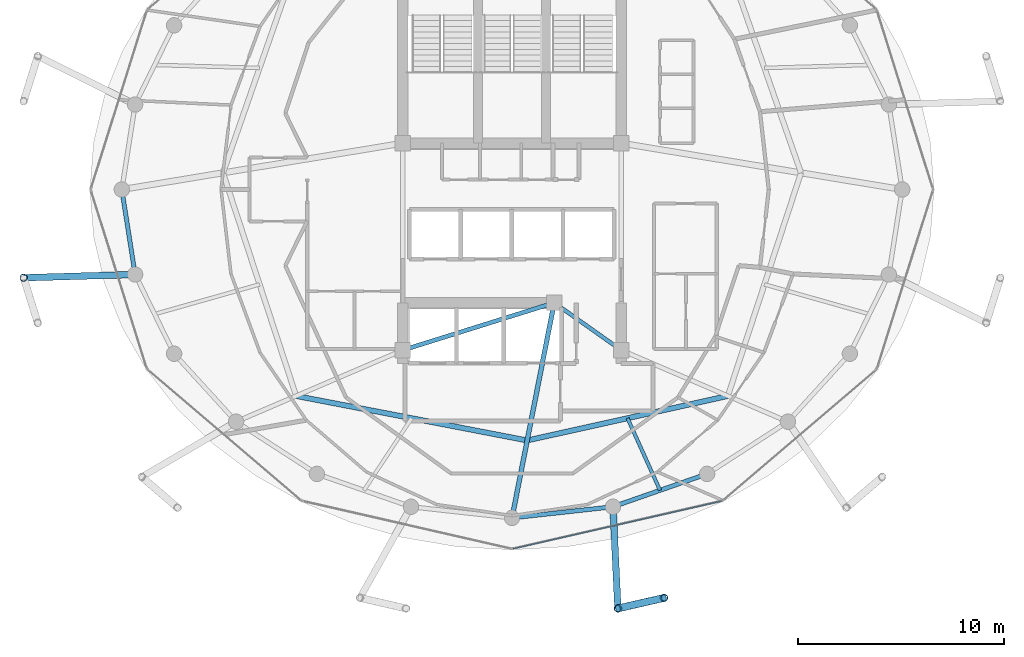
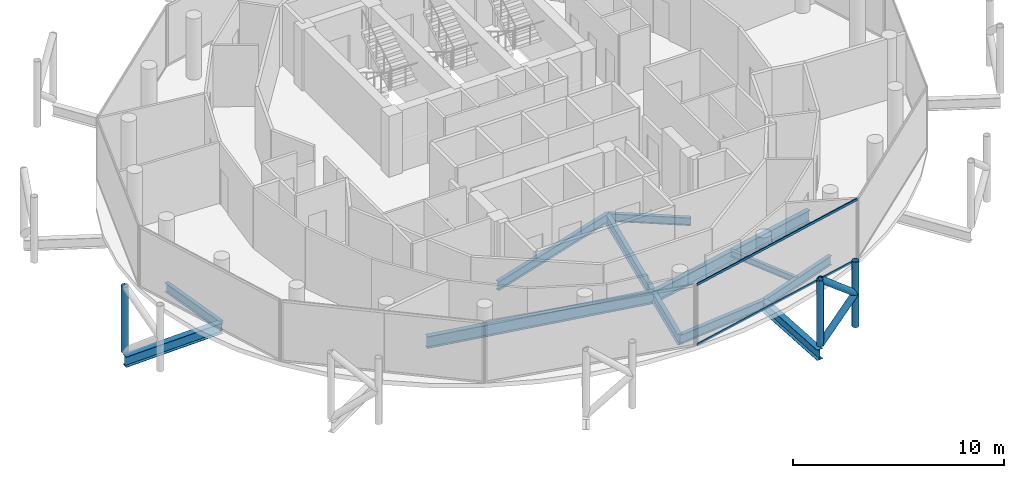
# One storey, part 5 of 24: 11 beams, 7 members, 1 element without a shape of its own.
"""IFC4 building model written with IfcOpenShell, lengths in metres."""

import ifcopenshell
import ifcopenshell.guid

model = None  # the IFC model being written
_history = None  # IfcOwnerHistory: only IFC2X3 demands one
_inside = {}  # id of a spatial element -> (the spatial element, [elements in it])
_under = {}  # id of a project, library or spatial element -> (it, [spatial elements below it])
_declared = {}  # id of a project -> (the project, [libraries it declares])
_typed = {}  # id of a type object -> (the type object, [elements of that type])
_made_of = {}  # id of a material, layer set ... -> (it, [elements and type objects made of it])


def new_model(schema):
    """Start an empty IFC model of exactly this schema.

    Asked for "IFC4X3", IfcOpenShell would pick the latest addendum, in which some entities
    have other attributes; the version numbers below select the first issue.
    IFC2X3 requires an IfcOwnerHistory on every rooted entity: one is made here for all.
    """
    global model, _history
    if schema == "IFC4X3":
        model = ifcopenshell.file(schema_version=(4, 3, 0, 0))
    else:
        model = ifcopenshell.file(schema=schema)
    _inside.clear()
    _under.clear()
    _declared.clear()
    _typed.clear()
    _made_of.clear()
    _history = None
    if model.schema == "IFC2X3":
        org = make("IfcOrganization", Name="unknown")
        user = make(
            "IfcPersonAndOrganization",
            ThePerson=make("IfcPerson", FamilyName="unknown"),
            TheOrganization=org,
        )
        app = make(
            "IfcApplication",
            ApplicationDeveloper=org,
            Version="unknown",
            ApplicationFullName="unknown",
            ApplicationIdentifier="unknown",
        )
        _history = make(
            "IfcOwnerHistory",
            OwningUser=user,
            OwningApplication=app,
            ChangeAction="ADDED",
            CreationDate=0,
        )
    return model


def make(cls, **values):
    """One entity of the class cls with the attributes given. An attribute that is None is left unset."""
    return model.create_entity(
        cls, **{name: value for name, value in values.items() if value is not None}
    )


def rooted(cls, **values):
    """An entity with a GlobalId (a new one), such as an element, a storey or a relation."""
    return make(cls, GlobalId=ifcopenshell.guid.new(), OwnerHistory=_history, **values)


def si_unit(unit_type, name, prefix=None):
    """IfcSIUnit, for example si_unit("LENGTHUNIT", "METRE", prefix="MILLI")."""
    return make("IfcSIUnit", UnitType=unit_type, Prefix=prefix, Name=name)


def assignment(units):
    """IfcUnitAssignment: the units of a project."""
    return None if units is None else make("IfcUnitAssignment", Units=units)


def point(xyz):
    """IfcCartesianPoint."""
    return None if xyz is None else make("IfcCartesianPoint", Coordinates=xyz)


def direction(xyz):
    """IfcDirection."""
    return None if xyz is None else make("IfcDirection", DirectionRatios=xyz)


def frame(location, z_axis=None, x_axis=None):
    """IfcAxis2Placement3D, a coordinate frame: its origin and axes. An axis left out is left unset."""
    return make(
        "IfcAxis2Placement3D",
        Location=point(location),
        Axis=direction(z_axis),
        RefDirection=direction(x_axis),
    )


def frame_2d(location, x_axis=None):
    """IfcAxis2Placement2D, a coordinate frame in the plane: its origin and x axis."""
    return make(
        "IfcAxis2Placement2D", Location=point(location), RefDirection=direction(x_axis)
    )


def origin():
    """The frame at (0, 0, 0) with its axes left unset."""
    return frame((0.0, 0.0, 0.0))


def origin_2d():
    """The frame at (0, 0) in the plane with its x axis left unset."""
    return frame_2d((0.0, 0.0))


def place(relative_to, where):
    """IfcLocalPlacement: puts the frame where relative to a parent placement (None: the world)."""
    return make(
        "IfcLocalPlacement", PlacementRelTo=relative_to, RelativePlacement=where
    )


def context(
    kind, dimensions, precision=None, world=None, true_north=None, identifier=None
):
    """IfcGeometricRepresentationContext, for example the 3D "Model" context."""
    return make(
        "IfcGeometricRepresentationContext",
        ContextIdentifier=identifier,
        ContextType=kind,
        CoordinateSpaceDimension=dimensions,
        Precision=precision,
        WorldCoordinateSystem=world,
        TrueNorth=true_north,
    )


def subcontext(parent, identifier, kind, view, scale=None):
    """IfcGeometricRepresentationSubContext, for example "Body" below "Model"."""
    return make(
        "IfcGeometricRepresentationSubContext",
        ContextIdentifier=identifier,
        ContextType=kind,
        ParentContext=parent,
        TargetScale=scale,
        TargetView=view,
    )


def project(units=None, contexts=None):
    """IfcProject with its units and contexts."""
    return rooted(
        "IfcProject",
        Name="project",
        RepresentationContexts=contexts,
        UnitsInContext=assignment(units),
    )


def spatial(cls, under=None, at=None, **own):
    """A site, building, storey or space (cls), placed at a placement, below another one or the project."""
    s = rooted(cls, ObjectPlacement=at, **own)
    if under is not None:
        _under.setdefault(under.id(), (under, []))[1].append(s)
    return s


def profile(cls, at=None, kind="AREA", **sizes):
    """A parametric profile (cls). Its sizes go by their IFC names, for example OverallWidth=200.0."""
    return make(cls, ProfileType=kind, Position=at, **sizes)


def hollow_rectangle(**sizes):
    """IfcRectangleHollowProfileDef."""
    return profile("IfcRectangleHollowProfileDef", **sizes)


def hollow_circle(**sizes):
    """IfcCircleHollowProfileDef."""
    return profile("IfcCircleHollowProfileDef", **sizes)


def i_section(**sizes):
    """IfcIShapeProfileDef."""
    return profile("IfcIShapeProfileDef", **sizes)


def extrude(swept, where, along, depth):
    """IfcExtrudedAreaSolid: the profile swept, set in the frame where, extruded along a direction by depth."""
    return make(
        "IfcExtrudedAreaSolid",
        SweptArea=swept,
        Position=where,
        ExtrudedDirection=direction(along),
        Depth=depth,
    )


def shape(context_of_items, identifier, shape_type, items):
    """IfcShapeRepresentation: the items that make up one representation, for example the "Body"."""
    return make(
        "IfcShapeRepresentation",
        ContextOfItems=context_of_items,
        RepresentationIdentifier=identifier,
        RepresentationType=shape_type,
        Items=items,
    )


def material(Name=None, Category=None):
    """IfcMaterial."""
    return make("IfcMaterial", Name=Name, Category=Category)


def layer(
    of_material, thickness, ventilated=None, Name=None, Category=None, Priority=None
):
    """IfcMaterialLayer: one layer of a wall or slab, of a material (None: an air gap)."""
    return make(
        "IfcMaterialLayer",
        Material=of_material,
        LayerThickness=thickness,
        IsVentilated=ventilated,
        Name=Name,
        Category=Category,
        Priority=Priority,
    )


def layer_set(layers, Name=None):
    """IfcMaterialLayerSet."""
    return make("IfcMaterialLayerSet", MaterialLayers=layers, LayerSetName=Name)


def material_profile(
    of_material, cross_section, Name=None, Category=None, Priority=None
):
    """IfcMaterialProfile: a cross section and its material."""
    return make(
        "IfcMaterialProfile",
        Name=Name,
        Material=of_material,
        Profile=cross_section,
        Priority=Priority,
        Category=Category,
    )


def profile_set(profiles, Name=None, composite=None):
    """IfcMaterialProfileSet."""
    return make(
        "IfcMaterialProfileSet",
        Name=Name,
        MaterialProfiles=profiles,
        CompositeProfile=composite,
    )


def made_of(thing, what):
    """Note that an element or type object is made of a material, layer set ...; save() writes the relation."""
    if what is not None:
        _made_of.setdefault(what.id(), (what, []))[1].append(thing)
    return thing


def type_object(cls, material=None, **own):
    """A type object (cls), such as IfcWallType, which elements share."""
    return made_of(rooted(cls, **own), material)


def element(
    cls,
    number,
    at=None,
    inside=None,
    cuts=None,
    type_object=None,
    material=None,
    context=None,
    identifier="Body",
    shape_type=None,
    held_by="IfcProductDefinitionShape",
    body=None,
    shapes=None,
    **own,
):
    """One element of the class cls, such as IfcWall. Its Tag is "e" and its number.

    at: its placement. inside: the storey or other place that contains it. cuts: it is an
    opening in that element (IfcRelVoidsElement). A single representation is given by context,
    identifier, shape_type and body (its items); several are given by shapes. held_by: the class
    of the entity that holds the representations. save() writes the other relations.
    """
    e = rooted(cls, Tag="e%d" % number, ObjectPlacement=at, **own)
    if body is not None:
        shapes = [shape(context, identifier, shape_type, body)]
    if shapes is not None:
        e.Representation = make(held_by, Representations=shapes)
    if inside is not None:
        _inside.setdefault(inside.id(), (inside, []))[1].append(e)
    if cuts is not None:
        rooted(
            "IfcRelVoidsElement", RelatingBuildingElement=cuts, RelatedOpeningElement=e
        )
    if type_object is not None:
        _typed.setdefault(type_object.id(), (type_object, []))[1].append(e)
    return made_of(e, material)


def aggregate(whole, parts):
    """IfcRelAggregates: a whole, such as a stair, and the parts it consists of."""
    return rooted("IfcRelAggregates", RelatingObject=whole, RelatedObjects=parts)


def save(model, path):
    """Write the relations noted so far, then the file.

    IfcRelAggregates (storeys below a building ...), IfcRelContainedInSpatialStructure (elements
    in a storey), IfcRelDefinesByType, IfcRelAssociatesMaterial and IfcRelDeclares: one each for
    every whole, place, type object, material and project.
    """
    for whole, parts in _under.values():
        aggregate(whole, parts)
    for where, things in _inside.values():
        rooted(
            "IfcRelContainedInSpatialStructure",
            RelatedElements=things,
            RelatingStructure=where,
        )
    for kind, things in _typed.values():
        rooted("IfcRelDefinesByType", RelatedObjects=things, RelatingType=kind)
    for what, things in _made_of.values():
        rooted("IfcRelAssociatesMaterial", RelatedObjects=things, RelatingMaterial=what)
    for by, libraries in _declared.values():
        rooted("IfcRelDeclares", RelatingContext=by, RelatedDefinitions=libraries)
    model.write(path)


model = new_model("IFC4")

# Units and contexts
model_context = context("Model", 3, precision=1e-05, world=origin(), true_north=direction((0.0, 1.0)))
body_context = subcontext(model_context, "Body", "Model", "MODEL_VIEW")
ifc_project = project(units=[si_unit("LENGTHUNIT", "METRE"), si_unit("AREAUNIT", "SQUARE_METRE"), si_unit("VOLUMEUNIT", "CUBIC_METRE"), si_unit("PLANEANGLEUNIT", "RADIAN"), si_unit("MASSUNIT", "GRAM", prefix="KILO")], contexts=[model_context])

# Site, building, storey
site_placement = place(None, origin())
site = spatial("IfcSite", under=ifc_project, at=site_placement, CompositionType="ELEMENT")
building_placement = place(site_placement, origin())
building = spatial("IfcBuilding", under=site, at=building_placement, Name="Nuhasar Tower", CompositionType="ELEMENT")
storey_placement = place(building_placement, frame((0.0, 0.0, 259.39990234375)))
storey = spatial("IfcBuildingStorey", under=building, at=storey_placement, Name="L64", CompositionType="ELEMENT", Elevation=259.39990234375)

# Beams
ifc_material_1 = material(Name="Steel S355", Category="steel")
ifc_material_profile_1 = material_profile(ifc_material_1, i_section(OverallWidth=0.25390625, OverallDepth=0.68408203125, WebThickness=0.012451171875, FlangeThickness=0.018798828125, at=origin_2d()), Name="W27X94")
ifc_profile_set_1 = profile_set([ifc_material_profile_1], Name="Steel S355")
beam_type_1 = type_object("IfcBeamType", Name="BM-INRING-W27X94", PredefinedType="BEAM", material=ifc_profile_set_1)
beam_1_placement = place(storey_placement, frame((28.51611328125, 16.77392578125, -0.601806640625), z_axis=(0.981944682954, -0.189168283859, 0.0), x_axis=(0.189168283859, 0.981944682954, 0.0)))
element("IfcBeam", 1, at=beam_1_placement, inside=storey, type_object=beam_type_1, Name="L64 Inner Header Beam 01", PredefinedType="BEAM", context=body_context, shape_type="SweptSolid", body=[
    extrude(i_section(OverallWidth=0.25390625, OverallDepth=0.68408203125, WebThickness=0.012451171875, FlangeThickness=0.018798828125, at=origin_2d()), origin(), (0.0, 0.0, 1.0), 11.42822265625),
])
beam_2_placement = place(storey_placement, frame((39.738037109375, 14.612060546875, -0.601806640625), z_axis=(0.97626927806, 0.216560145726, 0.0), x_axis=(-0.216560145726, 0.97626927806, 0.0)))
element("IfcBeam", 2, at=beam_2_placement, inside=storey, type_object=beam_type_1, Name="L64 Inner Header Beam 02", PredefinedType="BEAM", context=body_context, shape_type="SweptSolid", body=[
    extrude(i_section(OverallWidth=0.25390625, OverallDepth=0.68408203125, WebThickness=0.012451171875, FlangeThickness=0.018798828125, at=origin_2d()), origin(), (0.0, 0.0, 1.0), 9.982666015625),
])
ifc_material_profile_2 = material_profile(ifc_material_1, i_section(OverallWidth=0.1708984375, OverallDepth=0.35205078125, WebThickness=0.0068359375, FlangeThickness=0.009765625, at=origin_2d()), Name="W14X30")
ifc_profile_set_2 = profile_set([ifc_material_profile_2], Name="Steel S355")
beam_type_2 = type_object("IfcBeamType", Name="BM-JST-W14X30", PredefinedType="JOIST", material=ifc_profile_set_2)
beam_3_placement = place(storey_placement, frame((44.611083984375, 15.693115234375, -0.435791015625), z_axis=(0.41089033708, -0.911684776057, 0.0), x_axis=(0.911684776057, 0.41089033708, 0.0)))
element("IfcBeam", 3, at=beam_3_placement, inside=storey, type_object=beam_type_2, Name="L64 Secondary Floor Joist 02", PredefinedType="JOIST", context=body_context, shape_type="SweptSolid", body=[
    extrude(i_section(OverallWidth=0.1708984375, OverallDepth=0.35205078125, WebThickness=0.0068359375, FlangeThickness=0.009765625, at=origin_2d()), origin(), (0.0, 0.0, 1.0), 3.842529296875),
])
ifc_material_profile_3 = material_profile(ifc_material_1, i_section(OverallWidth=0.18994140625, OverallDepth=0.45703125, WebThickness=0.009033203125, FlangeThickness=0.014404296875, at=origin_2d()), Name="W18X50")
ifc_profile_set_3 = profile_set([ifc_material_profile_3], Name="Steel S355")
beam_type_3 = type_object("IfcBeamType", Name="BM-RAD-W18X50", PredefinedType="BEAM", material=ifc_profile_set_3)
beam_4_placement = place(storey_placement, frame((41.050048828125, 21.300048828125, -0.489013671875), z_axis=(0.816265428953, -0.577677028708, 0.0), x_axis=(0.577677028708, 0.816265428953, 0.0)))
element("IfcBeam", 4, at=beam_4_placement, inside=storey, type_object=beam_type_3, Name="L64 Core Ring Girder 2", PredefinedType="BEAM", context=body_context, shape_type="SweptSolid", body=[
    extrude(i_section(OverallWidth=0.18994140625, OverallDepth=0.45703125, WebThickness=0.009033203125, FlangeThickness=0.014404296875, at=origin_2d()), origin(), (0.0, 0.0, 1.0), 3.9814453125),
])
ifc_material_profile_4 = material_profile(ifc_material_1, i_section(OverallWidth=0.208984375, OverallDepth=0.528076171875, WebThickness=0.009521484375, FlangeThickness=0.01318359375, at=origin_2d()), Name="W21X55")
ifc_profile_set_4 = profile_set([ifc_material_profile_4], Name="Steel S355")
beam_type_4 = type_object("IfcBeamType", Name="BM-RAD-W21X55", PredefinedType="BEAM", material=ifc_profile_set_4)
beam_5_placement = place(storey_placement, frame((33.699951171875, 19.0, -0.52392578125), z_axis=(0.954363709454, 0.298646798205, 0.0), x_axis=(-0.298646798205, 0.954363709454, 0.0)))
element("IfcBeam", 5, at=beam_5_placement, inside=storey, type_object=beam_type_4, Name="L64 Core Ring Girder 1", PredefinedType="BEAM", context=body_context, shape_type="SweptSolid", body=[
    extrude(i_section(OverallWidth=0.208984375, OverallDepth=0.528076171875, WebThickness=0.009521484375, FlangeThickness=0.01318359375, at=origin_2d()), origin(), (0.0, 0.0, 1.0), 7.70166015625),
])
ifc_material_profile_5 = material_profile(ifc_material_1, i_section(OverallWidth=0.22900390625, OverallDepth=0.612060546875, WebThickness=0.011962890625, FlangeThickness=0.01953125, at=origin_2d()), Name="W24X84")
ifc_profile_set_5 = profile_set([ifc_material_profile_5], Name="Steel S355")
beam_type_5 = type_object("IfcBeamType", Name="BM-RAD-W24X84", PredefinedType="BEAM", material=ifc_profile_set_5)
beam_6_placement = place(storey_placement, frame((41.050048828125, 21.300048828125, -0.56591796875), z_axis=(-0.192508395576, -0.981295326409, 0.0), x_axis=(0.981295326409, -0.192508395576, 0.0)))
element("IfcBeam", 6, at=beam_6_placement, inside=storey, type_object=beam_type_5, Name="L64 Radial Floor Girder 02", PredefinedType="BEAM", context=body_context, shape_type="SweptSolid", body=[
    extrude(i_section(OverallWidth=0.22900390625, OverallDepth=0.612060546875, WebThickness=0.011962890625, FlangeThickness=0.01953125, at=origin_2d()), origin(), (0.0, 0.0, 1.0), 10.649169921875),
])
ifc_material_profile_6 = material_profile(ifc_material_1, i_section(OverallWidth=0.2099609375, OverallDepth=0.537109375, WebThickness=0.010986328125, FlangeThickness=0.017333984375, at=origin_2d()), Name="W21X68")
ifc_profile_set_6 = profile_set([ifc_material_profile_6], Name="Steel S355")
beam_type_6 = type_object("IfcBeamType", Name="BM-RING-W21X68", PredefinedType="SPANDREL", material=ifc_profile_set_6)
beam_7_placement = place(storey_placement, frame((20.050048828125, 26.800048828125, -0.52880859375), z_axis=(0.154612165232, -0.987975241776, 0.0), x_axis=(0.987975241776, 0.154612165232, 0.0)))
element("IfcBeam", 7, at=beam_7_placement, inside=storey, type_object=beam_type_6, Name="L64 Perimeter Ring Spandrel 13", PredefinedType="SPANDREL", context=body_context, shape_type="SweptSolid", body=[
    extrude(i_section(OverallWidth=0.2099609375, OverallDepth=0.537109375, WebThickness=0.010986328125, FlangeThickness=0.017333984375, at=origin_2d()), origin(), (0.0, 0.0, 1.0), 4.17822265625),
])
beam_8_placement = place(storey_placement, frame((39.0, 10.85009765625, -0.52880859375), z_axis=(0.99392889943, 0.110024283128, 0.0), x_axis=(-0.110024283128, 0.99392889943, 0.0)))
element("IfcBeam", 8, at=beam_8_placement, inside=storey, type_object=beam_type_6, Name="L64 Perimeter Ring Spandrel 19", PredefinedType="SPANDREL", context=body_context, shape_type="SweptSolid", body=[
    extrude(i_section(OverallWidth=0.2099609375, OverallDepth=0.537109375, WebThickness=0.010986328125, FlangeThickness=0.017333984375, at=origin_2d()), origin(), (0.0, 0.0, 1.0), 4.93505859375),
])
beam_9_placement = place(storey_placement, frame((43.905029296875, 11.39306640625, -0.52880859375), z_axis=(0.944214043504, 0.329332415729, 0.0), x_axis=(-0.329332415729, 0.944214043504, 0.0)))
element("IfcBeam", 9, at=beam_9_placement, inside=storey, type_object=beam_type_6, Name="L64 Perimeter Ring Spandrel 20", PredefinedType="SPANDREL", context=body_context, shape_type="SweptSolid", body=[
    extrude(i_section(OverallWidth=0.2099609375, OverallDepth=0.537109375, WebThickness=0.010986328125, FlangeThickness=0.017333984375, at=origin_2d()), origin(), (0.0, 0.0, 1.0), 4.840087890625),
])
ifc_material_profile_7 = material_profile(ifc_material_1, i_section(OverallWidth=0.323974609375, OverallDepth=0.611083984375, WebThickness=0.0126953125, FlangeThickness=0.01904296875, at=origin_2d()), Name="W24X104")
ifc_profile_set_7 = profile_set([ifc_material_profile_7], Name="Steel S355")
beam_type_7 = type_object("IfcBeamType", Name="BM-TIE-W24X104", PredefinedType="BEAM", material=ifc_profile_set_7)
beam_10_placement = place(storey_placement, frame((20.696044921875, 22.672119140625, -0.56591796875), z_axis=(-0.999573346236, -0.029208312065, 0.0), x_axis=(0.029208312065, -0.999573346236, 0.0)))
element("IfcBeam", 10, at=beam_10_placement, inside=storey, type_object=beam_type_7, Name="L64 Exoskeleton Node Tie Beam 07", PredefinedType="BEAM", context=body_context, shape_type="SweptSolid", body=[
    extrude(i_section(OverallWidth=0.323974609375, OverallDepth=0.611083984375, WebThickness=0.0126953125, FlangeThickness=0.01904296875, at=origin_2d()), origin(), (0.0, 0.0, 1.0), 5.416259765625),
])
beam_11_placement = place(storey_placement, frame((43.905029296875, 11.39306640625, -0.56591796875), z_axis=(0.048109027225, -0.998842090372, 0.0), x_axis=(0.998842090372, 0.048109027225, 0.0)))
element("IfcBeam", 11, at=beam_11_placement, inside=storey, type_object=beam_type_7, Name="L64 Exoskeleton Node Tie Beam 10", PredefinedType="BEAM", context=body_context, shape_type="SweptSolid", body=[
    extrude(i_section(OverallWidth=0.323974609375, OverallDepth=0.611083984375, WebThickness=0.0126953125, FlangeThickness=0.01904296875, at=origin_2d()), origin(), (0.0, 0.0, 1.0), 4.94775390625),
])

# Curtain wall, members
ifc_material_2 = material(Name="Aluminium 6063-T6", Category="aluminium")
ifc_layer = layer(ifc_material_2, 0.18994140625)
ifc_layer_set = layer_set([ifc_layer], Name="Aluminium 6063-T6")
curtain_wall_type = type_object("IfcCurtainWallType", Name="CW-Z4-PEN", PredefinedType="NOTDEFINED", material=ifc_layer_set)
curtain_wall_placement = place(storey_placement, origin())
curtain_wall = element("IfcCurtainWall", 12, at=curtain_wall_placement, inside=storey, type_object=curtain_wall_type, Name="L64 Unitised Curtain Wall 10", PredefinedType="NOTDEFINED")
ifc_material_profile_8 = material_profile(ifc_material_2, hollow_rectangle(XDim=0.06005859375, YDim=0.135009765625, WallThickness=0.00439453125, at=origin_2d()), Name="CWT-5")
ifc_profile_set_8 = profile_set([ifc_material_profile_8], Name="Aluminium 6063-T6")
member_type_1 = type_object("IfcMemberType", Name="CW-TRN-S5", PredefinedType="USERDEFINED", material=ifc_profile_set_8)
member_1_placement = place(storey_placement, frame((39.05859375, 9.353271484375, 0.030029296875), z_axis=(0.974843752401, 0.222889341163, 0.0), x_axis=(-0.222889341163, 0.974843752401, 0.0)))
member_1 = element("IfcMember", 13, at=member_1_placement, type_object=member_type_1, Name="CW-Z4 transom 1.1", ObjectType="TRANSOM", PredefinedType="USERDEFINED", context=body_context, shape_type="SweptSolid", body=[
    extrude(hollow_rectangle(XDim=0.06005859375, YDim=0.135009765625, WallThickness=0.00439453125, at=origin_2d()), origin(), (0.0, 0.0, 1.0), 10.3740234375),
])
member_2_placement = place(storey_placement, frame((39.05859375, 9.353271484375, 3.510009765625), z_axis=(0.974843752401, 0.222889341163, 0.0), x_axis=(-0.222889341163, 0.974843752401, 0.0)))
member_2 = element("IfcMember", 14, at=member_2_placement, type_object=member_type_1, Name="CW-Z4 transom 1.2", ObjectType="TRANSOM", PredefinedType="USERDEFINED", context=body_context, shape_type="SweptSolid", body=[
    extrude(hollow_rectangle(XDim=0.06005859375, YDim=0.135009765625, WallThickness=0.00439453125, at=origin_2d()), origin(), (0.0, 0.0, 1.0), 10.3740234375),
])
aggregate(curtain_wall, [member_1, member_2])

# Members
ifc_material_3 = material(Name="Steel S460", Category="steel")
ifc_material_profile_9 = material_profile(ifc_material_3, hollow_circle(Radius=0.177734375, WallThickness=0.015869140625, at=origin_2d()), Name="HSS355.6X15.9")
ifc_profile_set_9 = profile_set([ifc_material_profile_9], Name="Steel S460")
member_type_2 = type_object("IfcMemberType", Name="EXO-BRONZE-356", PredefinedType="BRACE", material=ifc_profile_set_9)
for number, where, z_axis, x_axis, name in (
    (15, (15.281982421875, 22.513916015625, 0.0), (0.0, 0.0, 1.0), (1.0, 0.0, 0.0), "L64 Exoskeleton Chord Column EC-07A"),
    (16, (44.14306640625, 6.450927734375, 0.0), (0.0, 0.0, 1.0), (1.0, 0.0, 0.0), "L64 Exoskeleton Chord Column EC-10A"),
    (17, (46.384033203125, 6.967041015625, 0.0), (0.0, 0.0, 1.0), (1.0, 0.0, 0.0), "L64 Exoskeleton Chord Column EC-10B"),
):
    element("IfcMember", number, at=place(storey_placement, frame(where, z_axis=z_axis, x_axis=x_axis)), inside=storey, type_object=member_type_2, Name=name, PredefinedType="BRACE", context=body_context, shape_type="SweptSolid", body=[
        extrude(hollow_circle(Radius=0.177734375, WallThickness=0.015869140625, at=origin_2d()), origin(), (0.0, 0.0, 1.0), 3.800048828125),
    ])
member_3_placement = place(storey_placement, frame((44.14306640625, 6.450927734375, 0.0), z_axis=(0.751221815951, 0.173012628709, 0.636971281571), x_axis=(-0.224433035437, 0.97448951385, 0.0)))
element("IfcMember", 18, at=member_3_placement, inside=storey, type_object=member_type_2, Name="L64 Bronze Diagrid Brace W1-10", PredefinedType="BRACE", context=body_context, shape_type="SweptSolid", body=[
    extrude(hollow_circle(Radius=0.177734375, WallThickness=0.015869140625, at=origin_2d()), origin(), (0.0, 0.0, 1.0), 2.983154296875),
])
member_4_placement = place(storey_placement, frame((46.384033203125, 6.967041015625, 1.900146484375), z_axis=(-0.751260978137, -0.173021648086, 0.636922642103), x_axis=(0.224433035437, -0.97448951385, 0.0)))
element("IfcMember", 19, at=member_4_placement, inside=storey, type_object=member_type_2, Name="L64 Bronze Diagrid Brace W2-10", PredefinedType="BRACE", context=body_context, shape_type="SweptSolid", body=[
    extrude(hollow_circle(Radius=0.177734375, WallThickness=0.015869140625, at=origin_2d()), origin(), (0.0, 0.0, 1.0), 2.98291015625),
])

save(model, "model.ifc")
